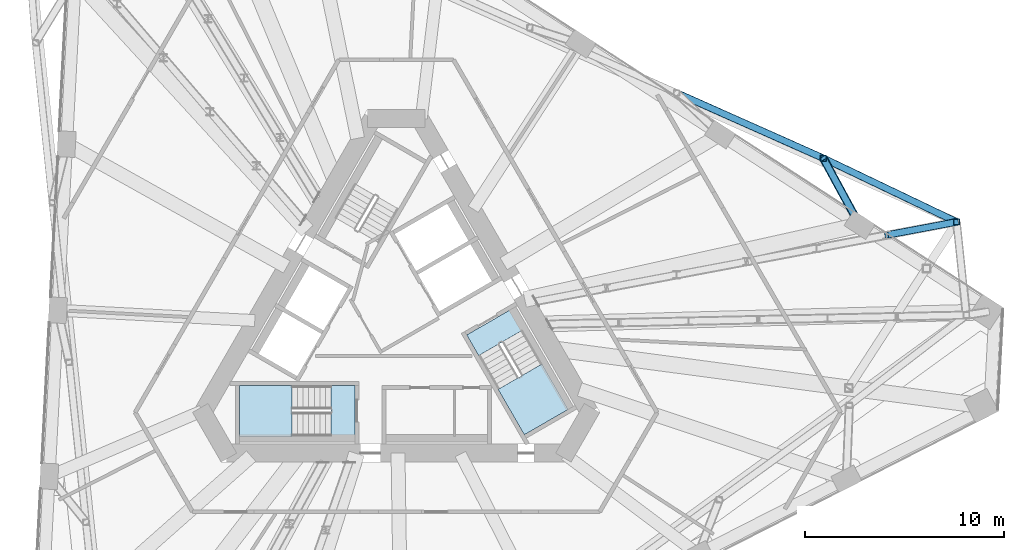
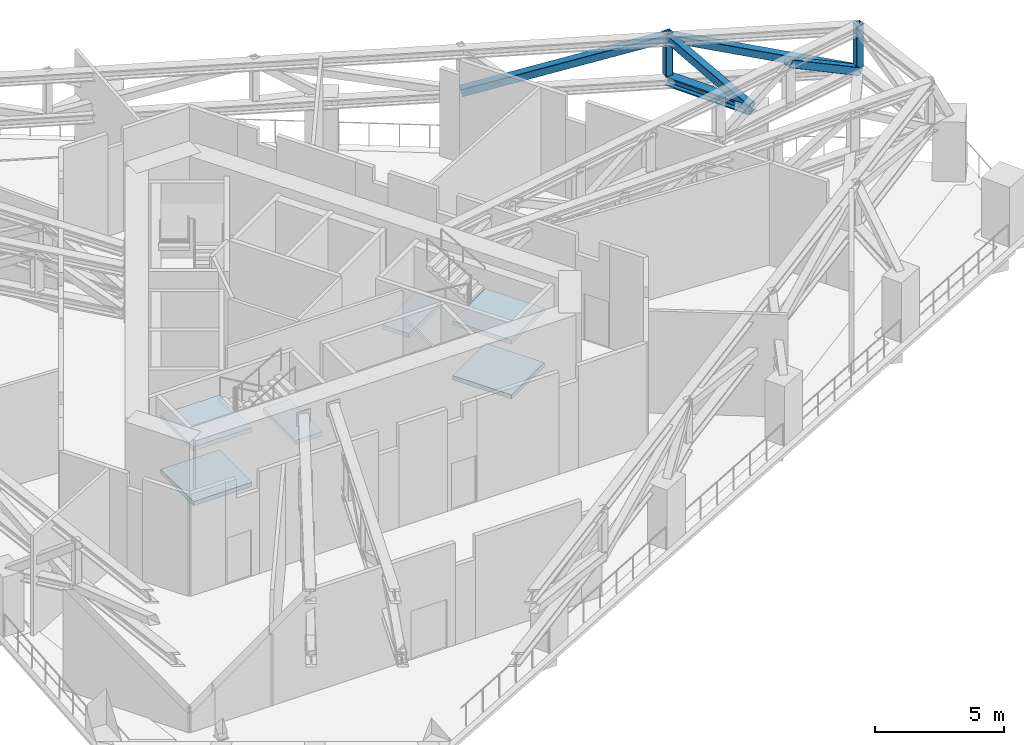
# One storey, part 15 of 26: 7 members, 6 slabs, 2 elements without a shape of their own.
"""IFC4 building model written with IfcOpenShell, lengths in metres."""

from ifc_helpers import new_model, si_unit, direction, frame, origin, origin_2d, place, context, subcontext, project, spatial, polyline, hollow_rectangle, i_section, outline, extrude, material, layer, layer_set, material_profile, profile_set, type_object, element, aggregate, save


model = new_model("IFC4")

# Units and contexts
model_context = context("Model", 3, precision=1e-05, world=origin(), true_north=direction((0.0, 1.0)))
body_context = subcontext(model_context, "Body", "Model", "MODEL_VIEW")
ifc_project = project(units=[si_unit("LENGTHUNIT", "METRE"), si_unit("AREAUNIT", "SQUARE_METRE"), si_unit("VOLUMEUNIT", "CUBIC_METRE"), si_unit("PLANEANGLEUNIT", "RADIAN"), si_unit("MASSUNIT", "GRAM", prefix="KILO")], contexts=[model_context])

# Site, building, storey
site_placement = place(None, origin())
site = spatial("IfcSite", under=ifc_project, at=site_placement, CompositionType="ELEMENT")
building_placement = place(site_placement, origin())
building = spatial("IfcBuilding", under=site, at=building_placement, Name="Tramontana Tower", CompositionType="ELEMENT")
storey_placement = place(building_placement, frame((0.0, 0.0, 157.60009765625)))
storey = spatial("IfcBuildingStorey", under=building, at=storey_placement, Name="L36", CompositionType="ELEMENT", Elevation=157.60009765625)

# Members
ifc_material_1 = material(Name="Steel ASTM A500 Grade C", Category="steel")
ifc_material_profile_1 = material_profile(ifc_material_1, hollow_rectangle(XDim=0.3046875, YDim=0.3046875, WallThickness=0.01171875, InnerFilletRadius=0.01171875, OuterFilletRadius=0.023681640625, at=origin_2d()), Name="HSS12X12X1/2")
ifc_profile_set_1 = profile_set([ifc_material_profile_1], Name="Steel ASTM A500 Grade C")
member_type_1 = type_object("IfcMemberType", Name="Belt truss HSS12X12X1/2 post", PredefinedType="POST", material=ifc_profile_set_1)
for number, where, z_axis, x_axis, name in (
    (1, (28.20849609375, 5.337890625, 2.8349609375), (0.0, 0.0, 1.0), (1.0, 0.0, 0.0), "Belt truss post C4K5"),
    (2, (21.499755859375, 8.5439453125, 2.8349609375), (0.0, 0.0, 1.0), (1.0, 0.0, 0.0), "Belt truss post C4F11"),
):
    element("IfcMember", number, at=place(storey_placement, frame(where, z_axis=z_axis, x_axis=x_axis)), inside=storey, type_object=member_type_1, Name=name, PredefinedType="POST", context=body_context, shape_type="SweptSolid", body=[
        extrude(hollow_rectangle(XDim=0.3046875, YDim=0.3046875, WallThickness=0.01171875, InnerFilletRadius=0.01171875, OuterFilletRadius=0.023681640625, at=origin_2d()), origin(), (0.0, 0.0, 1.0), 2.014892578125),
    ])
ifc_material_2 = material(Name="Steel ASTM A500 Grade C", Category="steel")
ifc_material_profile_2 = material_profile(ifc_material_2, hollow_rectangle(XDim=0.355712890625, YDim=0.355712890625, WallThickness=0.01171875, InnerFilletRadius=0.01171875, OuterFilletRadius=0.023681640625, at=origin_2d()), Name="HSS14X14X1/2")
ifc_profile_set_2 = profile_set([ifc_material_profile_2], Name="Steel ASTM A500 Grade C")
member_type_2 = type_object("IfcMemberType", Name="Belt truss HSS14X14X1/2 brace", PredefinedType="BRACE", material=ifc_profile_set_2)
member_1_placement = place(storey_placement, frame((28.20849609375, 5.337890625, 2.617431640625), z_axis=(-0.87085545353, 0.416175036055, 0.261551368608), x_axis=(-0.431184768727, -0.902263650613, 0.0)))
element("IfcMember", 3, at=member_1_placement, inside=storey, type_object=member_type_2, Name="Belt truss diagonal S2.1", PredefinedType="BRACE", context=body_context, shape_type="SweptSolid", body=[
    extrude(hollow_rectangle(XDim=0.355712890625, YDim=0.355712890625, WallThickness=0.01171875, InnerFilletRadius=0.01171875, OuterFilletRadius=0.023681640625, at=origin_2d()), origin(), (0.0, 0.0, 1.0), 7.70361328125),
])
member_2_placement = place(storey_placement, frame((21.499755859375, 8.5439453125, 4.63232421875), z_axis=(-0.886424803639, 0.39465041347, -0.241872112161), x_axis=(-0.406726892508, -0.913549798813, 0.0)))
element("IfcMember", 4, at=member_2_placement, inside=storey, type_object=member_type_2, Name="Belt truss diagonal S2.2", PredefinedType="BRACE", context=body_context, shape_type="SweptSolid", body=[
    extrude(hollow_rectangle(XDim=0.355712890625, YDim=0.355712890625, WallThickness=0.01171875, InnerFilletRadius=0.01171875, OuterFilletRadius=0.023681640625, at=origin_2d()), origin(), (0.0, 0.0, 1.0), 8.330322265625),
])
ifc_material_3 = material(Name="Steel ASTM A500 Grade C", Category="steel")
ifc_material_profile_3 = material_profile(ifc_material_3, hollow_rectangle(XDim=0.355712890625, YDim=0.355712890625, WallThickness=0.01171875, InnerFilletRadius=0.01171875, OuterFilletRadius=0.023681640625, at=origin_2d()), Name="HSS14X14X1/2")
ifc_profile_set_3 = profile_set([ifc_material_profile_3], Name="Steel ASTM A500 Grade C")
member_type_3 = type_object("IfcMemberType", Name="Transfer truss HSS14X14X1/2 brace", PredefinedType="BRACE", material=ifc_profile_set_3)
member_3_placement = place(storey_placement, frame((23.328125, 5.180419921875, 2.617431640625), z_axis=(-0.42262679605, 0.777477549631, 0.465741614074), x_axis=(-0.878584372799, -0.477587164687, 0.0)))
element("IfcMember", 5, at=member_3_placement, inside=storey, type_object=member_type_3, Name="Transfer truss strut C4F11 diagonal", PredefinedType="BRACE", context=body_context, shape_type="SweptSolid", body=[
    extrude(hollow_rectangle(XDim=0.355712890625, YDim=0.355712890625, WallThickness=0.01171875, InnerFilletRadius=0.01171875, OuterFilletRadius=0.023681640625, at=origin_2d()), origin(), (0.0, 0.0, 1.0), 4.326171875),
])
member_4_placement = place(storey_placement, frame((24.68408203125, 4.67333984375, 4.63232421875), z_axis=(0.856740598803, 0.161543911744, -0.489794968268), x_axis=(-0.18529127714, 0.982683643202, 0.0)))
element("IfcMember", 6, at=member_4_placement, inside=storey, type_object=member_type_3, Name="Transfer truss diagonal 4.6", PredefinedType="BRACE", context=body_context, shape_type="SweptSolid", body=[
    extrude(hollow_rectangle(XDim=0.355712890625, YDim=0.355712890625, WallThickness=0.01171875, InnerFilletRadius=0.01171875, OuterFilletRadius=0.023681640625, at=origin_2d()), origin(), (0.0, 0.0, 1.0), 4.11376953125),
])
ifc_material_4 = material(Name="Steel ASTM A992 Grade 50", Category="steel")
ifc_material_profile_4 = material_profile(ifc_material_4, i_section(OverallWidth=0.412841796875, OverallDepth=0.43505859375, WebThickness=0.03662109375, FlangeThickness=0.05712890625, FilletRadius=0.01513671875, at=origin_2d()), Name="W14X311")
ifc_profile_set_4 = profile_set([ifc_material_profile_4], Name="Steel ASTM A992 Grade 50")
member_type_4 = type_object("IfcMemberType", Name="Transfer truss W14X311 strut", PredefinedType="STRUT", material=ifc_profile_set_4)
member_5_placement = place(storey_placement, frame((23.328125, 5.180419921875, 2.617431640625), z_axis=(-0.477587164687, 0.878584372799, 0.0), x_axis=(-0.878584372799, -0.477587164687, 0.0)))
element("IfcMember", 7, at=member_5_placement, inside=storey, type_object=member_type_4, Name="Transfer truss strut C4F11 bottom", PredefinedType="STRUT", context=body_context, shape_type="SweptSolid", body=[
    extrude(i_section(OverallWidth=0.412841796875, OverallDepth=0.43505859375, WebThickness=0.03662109375, FlangeThickness=0.05712890625, FilletRadius=0.01513671875, at=origin_2d()), origin(), (0.0, 0.0, 1.0), 3.828369140625),
])

# Stair, slabs
ifc_material_5 = material(Name="Concrete 40 MPa", Category="concrete")
stair_type = type_object("IfcStairType", Name="EXIT STAIR 32 RISERS", PredefinedType="HALF_TURN_STAIR", material=ifc_material_5)
stair_1_placement = place(storey_placement, origin())
stair_1 = element("IfcStair", 8, at=stair_1_placement, inside=storey, type_object=stair_type, Name="L36 Exit stair ST2", PredefinedType="HALF_TURN_STAIR")
ifc_material_6 = material(Name="Concrete 40 MPa", Category="concrete")
ifc_layer = layer(ifc_material_6, 0.199951171875)
ifc_layer_set = layer_set([ifc_layer], Name="STAIR LANDING 200")
slab_type = type_object("IfcSlabType", Name="STAIR LANDING 200", PredefinedType="LANDING", material=ifc_layer_set)
slab_1_placement = place(storey_placement, frame((0.0, 0.0, 1.099853515625)))
slab_1 = element("IfcSlab", 9, at=slab_1_placement, type_object=slab_type, Name="ST2 landing 1", PredefinedType="LANDING", context=body_context, shape_type="SweptSolid", body=[
    extrude(outline(polyline([(-5.239990234375, -2.89990234375), (-7.8798828125, -2.89990234375), (-7.8798828125, -5.449951171875), (-5.239990234375, -5.449951171875), (-5.239990234375, -2.89990234375)])), origin(), (0.0, 0.0, 1.0), 0.199951171875),
])
slab_2_placement = place(storey_placement, frame((0.0, 0.0, 2.39990234375)))
slab_2 = element("IfcSlab", 10, at=slab_2_placement, type_object=slab_type, Name="ST2 landing 2", PredefinedType="LANDING", context=body_context, shape_type="SweptSolid", body=[
    extrude(outline(polyline([(-2.080078125, -2.89990234375), (-3.280029296875, -2.89990234375), (-3.280029296875, -5.449951171875), (-2.080078125, -5.449951171875), (-2.080078125, -2.89990234375)])), origin(), (0.0, 0.0, 1.0), 0.199951171875),
])
slab_3_placement = place(storey_placement, frame((0.0, 0.0, 3.699951171875)))
slab_3 = element("IfcSlab", 11, at=slab_3_placement, type_object=slab_type, Name="ST2 landing 3", PredefinedType="LANDING", context=body_context, shape_type="SweptSolid", body=[
    extrude(outline(polyline([(-5.239990234375, -2.89990234375), (-7.8798828125, -2.89990234375), (-7.8798828125, -5.449951171875), (-5.239990234375, -5.449951171875), (-5.239990234375, -2.89990234375)])), origin(), (0.0, 0.0, 1.0), 0.199951171875),
])
aggregate(stair_1, [slab_1, slab_2, slab_3])

stair_2_placement = place(storey_placement, origin())
stair_2 = element("IfcStair", 12, at=stair_2_placement, inside=storey, type_object=stair_type, Name="L36 Exit stair ST3", PredefinedType="HALF_TURN_STAIR")
slab_4_placement = place(storey_placement, frame((0.0, 0.0, 1.099853515625)))
slab_4 = element("IfcSlab", 13, at=slab_4_placement, type_object=slab_type, Name="ST3 landing 1", PredefinedType="LANDING", context=body_context, shape_type="SweptSolid", body=[
    extrude(outline(polyline([(5.131591796875, -3.087890625), (6.451416015625, -5.374267578125), (8.659912109375, -4.099365234375), (7.33984375, -1.81298828125), (5.131591796875, -3.087890625)])), origin(), (0.0, 0.0, 1.0), 0.199951171875),
])
slab_5_placement = place(storey_placement, frame((0.0, 0.0, 2.39990234375)))
slab_5 = element("IfcSlab", 14, at=slab_5_placement, type_object=slab_type, Name="ST3 landing 2", PredefinedType="LANDING", context=body_context, shape_type="SweptSolid", body=[
    extrude(outline(polyline([(3.551513671875, -0.351318359375), (4.1513671875, -1.390625), (6.35986328125, -0.115478515625), (5.759765625, 0.923583984375), (3.551513671875, -0.351318359375)])), origin(), (0.0, 0.0, 1.0), 0.199951171875),
])
slab_6_placement = place(storey_placement, frame((0.0, 0.0, 3.699951171875)))
slab_6 = element("IfcSlab", 15, at=slab_6_placement, type_object=slab_type, Name="ST3 landing 3", PredefinedType="LANDING", context=body_context, shape_type="SweptSolid", body=[
    extrude(outline(polyline([(5.131591796875, -3.087890625), (6.451416015625, -5.374267578125), (8.659912109375, -4.099365234375), (7.33984375, -1.81298828125), (5.131591796875, -3.087890625)])), origin(), (0.0, 0.0, 1.0), 0.199951171875),
])
aggregate(stair_2, [slab_4, slab_5, slab_6])

save(model, "model.ifc")
